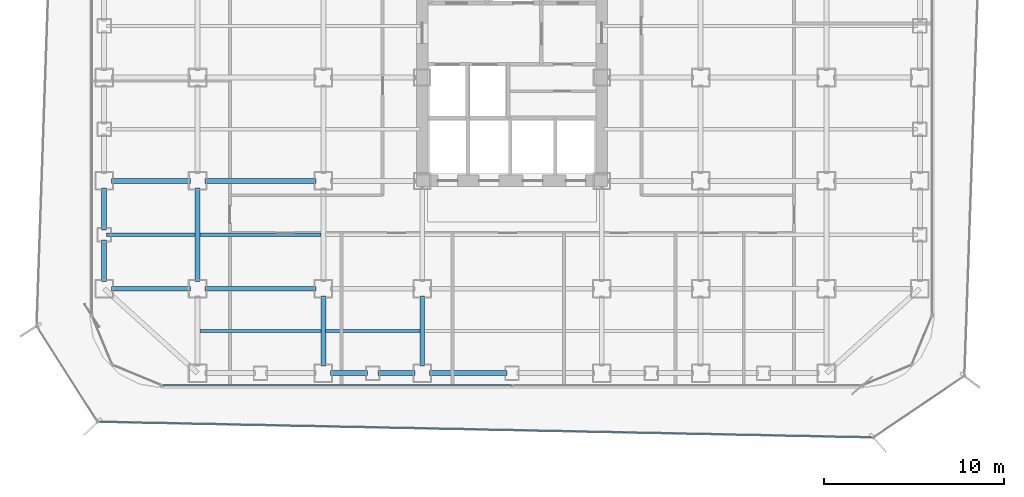
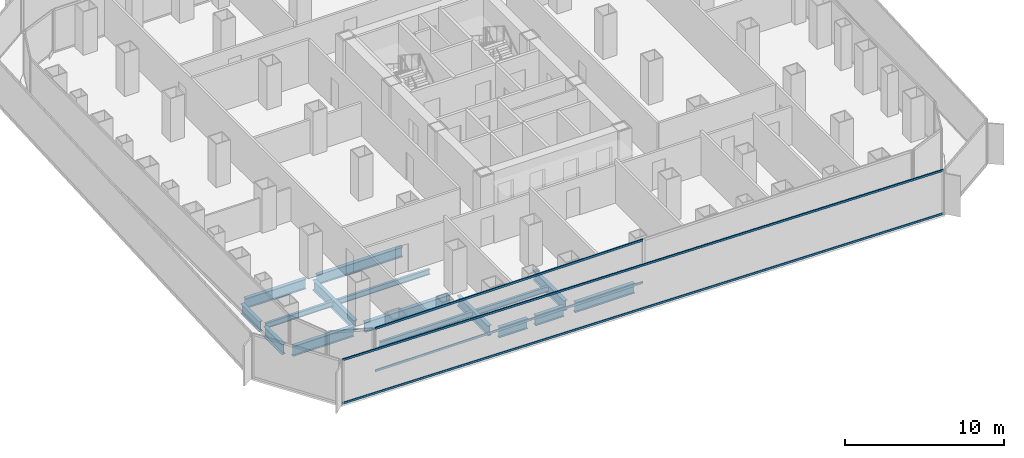
# One storey, part 3 of 22: 16 beams, 4 members, 2 elements without a shape of their own.
"""IFC4 building model written with IfcOpenShell, lengths in metres."""

from ifc_helpers import new_model, si_unit, direction, frame, origin, origin_2d, place, context, subcontext, project, spatial, hollow_rectangle, i_section, extrude, source, transform, mapped, material, layer, layer_set, material_profile, profile_set, type_object, element, aggregate, save


model = new_model("IFC4")

# Units and contexts
model_context = context("Model", 3, precision=1e-05, world=origin(), true_north=direction((0.0, 1.0)))
body_context = subcontext(model_context, "Body", "Model", "MODEL_VIEW")
ifc_project = project(units=[si_unit("LENGTHUNIT", "METRE"), si_unit("AREAUNIT", "SQUARE_METRE"), si_unit("VOLUMEUNIT", "CUBIC_METRE"), si_unit("PLANEANGLEUNIT", "RADIAN"), si_unit("MASSUNIT", "GRAM", prefix="KILO")], contexts=[model_context])

# Site, building, storey
site_placement = place(None, origin())
site = spatial("IfcSite", under=ifc_project, at=site_placement, CompositionType="ELEMENT")
building_placement = place(site_placement, origin())
building = spatial("IfcBuilding", under=site, at=building_placement, Name="Kolveth Station Tower", CompositionType="ELEMENT")
storey_placement = place(building_placement, frame((0.0, 0.0, 65.699951171875)))
storey = spatial("IfcBuildingStorey", under=building, at=storey_placement, Name="L17", CompositionType="ELEMENT", Elevation=65.699951171875)

# Beams
ifc_material_1 = material(Name="Steel S355", Category="steel")
ifc_material_profile_1 = material_profile(ifc_material_1, i_section(OverallWidth=0.26904296875, OverallDepth=0.77490234375, WebThickness=0.01708984375, FlangeThickness=0.0283203125, at=origin_2d()), Name="W760x220")
ifc_profile_set_1 = profile_set([ifc_material_profile_1], Name="Steel S355")
beam_type_1 = type_object("IfcBeamType", Name="Beam_SP1", PredefinedType="SPANDREL", material=ifc_profile_set_1)
shared_shape_1 = source(origin(), body_context, "Body", "SweptSolid", [
    extrude(i_section(OverallWidth=0.26904296875, OverallDepth=0.77490234375, WebThickness=0.01708984375, FlangeThickness=0.0283203125, at=origin_2d()), origin(), (0.0, 0.0, 1.0), 2.070068359375),
])
for number, where, z_axis, x_axis, name in (
    (1, (13.39990234375, 0.800048828125, -0.66748046875), (1.0, 0.0, 0.0), (0.0, 1.0, 0.0), "L17 Perimeter Spandrel BM-L17-PS-3"),
    (2, (16.030029296875, 0.800048828125, -0.66748046875), (1.0, 0.0, 0.0), (0.0, 1.0, 0.0), "L17 Perimeter Spandrel BM-L17-PS-4"),
):
    element("IfcBeam", number, at=place(storey_placement, frame(where, z_axis=z_axis, x_axis=x_axis)), inside=storey, type_object=beam_type_1, Name=name, PredefinedType="SPANDREL", context=body_context, shape_type="MappedRepresentation", body=[
        mapped(shared_shape_1, transform((0.0, 0.0, 0.0), x_axis=(1.0, 0.0, 0.0), y_axis=(0.0, 1.0, 0.0), z_axis=(0.0, 0.0, 1.0), scale=1.0)),
    ])
shared_shape_2 = source(origin(), body_context, "Body", "SweptSolid", [
    extrude(i_section(OverallWidth=0.26904296875, OverallDepth=0.77490234375, WebThickness=0.01708984375, FlangeThickness=0.0283203125, at=origin_2d()), origin(), (0.0, 0.0, 1.0), 4.320068359375),
])
beam_1_placement = place(storey_placement, frame((18.89990234375, 0.800048828125, -0.66748046875), z_axis=(1.0, 0.0, 0.0), x_axis=(0.0, 1.0, 0.0)))
element("IfcBeam", 3, at=beam_1_placement, inside=storey, type_object=beam_type_1, Name="L17 Perimeter Spandrel BM-L17-PS-5", PredefinedType="SPANDREL", context=body_context, shape_type="MappedRepresentation", body=[
    mapped(shared_shape_2, transform((0.0, 0.0, 0.0), x_axis=(1.0, 0.0, 0.0), y_axis=(0.0, 1.0, 0.0), z_axis=(0.0, 0.0, 1.0), scale=1.0)),
])
shared_shape_3 = source(origin(), body_context, "Body", "SweptSolid", [
    extrude(i_section(OverallWidth=0.26904296875, OverallDepth=0.77490234375, WebThickness=0.01708984375, FlangeThickness=0.0283203125, at=origin_2d()), origin(), (0.0, 0.0, 1.0), 2.320068359375),
])
for number, where, z_axis, x_axis, name in (
    (4, (0.800048828125, 5.89990234375, -0.66748046875), (0.0, 1.0, 0.0), (-1.0, 0.0, 0.0), "L17 Perimeter Spandrel BM-L17-PW-1"),
    (5, (0.800048828125, 8.780029296875, -0.66748046875), (0.0, 1.0, 0.0), (-1.0, 0.0, 0.0), "L17 Perimeter Spandrel BM-L17-PW-2"),
):
    element("IfcBeam", number, at=place(storey_placement, frame(where, z_axis=z_axis, x_axis=x_axis)), inside=storey, type_object=beam_type_1, Name=name, PredefinedType="SPANDREL", context=body_context, shape_type="MappedRepresentation", body=[
        mapped(shared_shape_3, transform((0.0, 0.0, 0.0), x_axis=(1.0, 0.0, 0.0), y_axis=(0.0, 1.0, 0.0), z_axis=(0.0, 0.0, 1.0), scale=1.0)),
    ])
ifc_material_profile_2 = material_profile(ifc_material_1, i_section(OverallWidth=0.26708984375, OverallDepth=0.76611328125, WebThickness=0.014892578125, FlangeThickness=0.023681640625, at=origin_2d()), Name="W760x185")
ifc_profile_set_2 = profile_set([ifc_material_profile_2], Name="Steel S355")
beam_type_2 = type_object("IfcBeamType", Name="Beam_B3", PredefinedType="BEAM", material=ifc_profile_set_2)
shared_shape_4 = source(origin(), body_context, "Body", "SweptSolid", [
    extrude(i_section(OverallWidth=0.26708984375, OverallDepth=0.76611328125, WebThickness=0.014892578125, FlangeThickness=0.023681640625, at=origin_2d()), origin(), (0.0, 0.0, 1.0), 4.400146484375),
])
for number, where, z_axis, x_axis, name in (
    (6, (1.199951171875, 5.5, -0.662841796875), (1.0, 0.0, 0.0), (0.0, 1.0, 0.0), "L17 Primary Girder BM-L17-GY55-1"),
    (7, (1.199951171875, 11.5, -0.662841796875), (1.0, 0.0, 0.0), (0.0, 1.0, 0.0), "L17 Primary Girder BM-L17-GY115-1"),
):
    element("IfcBeam", number, at=place(storey_placement, frame(where, z_axis=z_axis, x_axis=x_axis)), inside=storey, type_object=beam_type_2, Name=name, PredefinedType="BEAM", context=body_context, shape_type="MappedRepresentation", body=[
        mapped(shared_shape_4, transform((0.0, 0.0, 0.0), x_axis=(1.0, 0.0, 0.0), y_axis=(0.0, 1.0, 0.0), z_axis=(0.0, 0.0, 1.0), scale=1.0)),
    ])
shared_shape_5 = source(origin(), body_context, "Body", "SweptSolid", [
    extrude(i_section(OverallWidth=0.26708984375, OverallDepth=0.76611328125, WebThickness=0.014892578125, FlangeThickness=0.023681640625, at=origin_2d()), origin(), (0.0, 0.0, 1.0), 6.2001953125),
])
for number, where, z_axis, x_axis, name in (
    (8, (6.39990234375, 5.5, -0.662841796875), (1.0, 0.0, 0.0), (0.0, 1.0, 0.0), "L17 Primary Girder BM-L17-GY55-2"),
    (9, (6.39990234375, 11.5, -0.662841796875), (1.0, 0.0, 0.0), (0.0, 1.0, 0.0), "L17 Primary Girder BM-L17-GY115-2"),
):
    element("IfcBeam", number, at=place(storey_placement, frame(where, z_axis=z_axis, x_axis=x_axis)), inside=storey, type_object=beam_type_2, Name=name, PredefinedType="BEAM", context=body_context, shape_type="MappedRepresentation", body=[
        mapped(shared_shape_5, transform((0.0, 0.0, 0.0), x_axis=(1.0, 0.0, 0.0), y_axis=(0.0, 1.0, 0.0), z_axis=(0.0, 0.0, 1.0), scale=1.0)),
    ])
shared_shape_6 = source(origin(), body_context, "Body", "SweptSolid", [
    extrude(i_section(OverallWidth=0.26708984375, OverallDepth=0.76611328125, WebThickness=0.014892578125, FlangeThickness=0.023681640625, at=origin_2d()), origin(), (0.0, 0.0, 1.0), 3.900146484375),
])
for number, where, z_axis, x_axis, name in (
    (10, (13.0, 1.199951171875, -0.662841796875), (0.0, 1.0, 0.0), (-1.0, 0.0, 0.0), "L17 Primary Girder BM-L17-GX130-1"),
    (11, (18.5, 1.199951171875, -0.662841796875), (0.0, 1.0, 0.0), (-1.0, 0.0, 0.0), "L17 Primary Girder BM-L17-GX185-1"),
):
    element("IfcBeam", number, at=place(storey_placement, frame(where, z_axis=z_axis, x_axis=x_axis)), inside=storey, type_object=beam_type_2, Name=name, PredefinedType="BEAM", context=body_context, shape_type="MappedRepresentation", body=[
        mapped(shared_shape_6, transform((0.0, 0.0, 0.0), x_axis=(1.0, 0.0, 0.0), y_axis=(0.0, 1.0, 0.0), z_axis=(0.0, 0.0, 1.0), scale=1.0)),
    ])
shared_shape_7 = source(origin(), body_context, "Body", "SweptSolid", [
    extrude(i_section(OverallWidth=0.26708984375, OverallDepth=0.76611328125, WebThickness=0.014892578125, FlangeThickness=0.023681640625, at=origin_2d()), origin(), (0.0, 0.0, 1.0), 5.2001953125),
])
beam_2_placement = place(storey_placement, frame((6.0, 5.89990234375, -0.662841796875), z_axis=(0.0, 1.0, 0.0), x_axis=(-1.0, 0.0, 0.0)))
element("IfcBeam", 12, at=beam_2_placement, inside=storey, type_object=beam_type_2, Name="L17 Primary Girder BM-L17-GX60-2", PredefinedType="BEAM", context=body_context, shape_type="MappedRepresentation", body=[
    mapped(shared_shape_7, transform((0.0, 0.0, 0.0), x_axis=(1.0, 0.0, 0.0), y_axis=(0.0, 1.0, 0.0), z_axis=(0.0, 0.0, 1.0), scale=1.0)),
])
ifc_material_profile_3 = material_profile(ifc_material_1, i_section(OverallWidth=0.177978515625, OverallDepth=0.406982421875, WebThickness=0.0078125, FlangeThickness=0.0126953125, at=origin_2d()), Name="W410x60")
ifc_profile_set_3 = profile_set([ifc_material_profile_3], Name="Steel S355")
beam_type_3 = type_object("IfcBeamType", Name="Beam_J1", PredefinedType="JOIST", material=ifc_profile_set_3)
shared_shape_8 = source(origin(), body_context, "Body", "SweptSolid", [
    extrude(i_section(OverallWidth=0.177978515625, OverallDepth=0.406982421875, WebThickness=0.0078125, FlangeThickness=0.0126953125, at=origin_2d()), origin(), (0.0, 0.0, 1.0), 4.935791015625),
])
beam_3_placement = place(storey_placement, frame((0.9326171875, 8.5, -0.4833984375), z_axis=(1.0, 0.0, 0.0), x_axis=(0.0, 1.0, 0.0)))
element("IfcBeam", 13, at=beam_3_placement, inside=storey, type_object=beam_type_3, Name="L17 Secondary Joist JST-L17-1-2", PredefinedType="JOIST", context=body_context, shape_type="MappedRepresentation", body=[
    mapped(shared_shape_8, transform((0.0, 0.0, 0.0), x_axis=(1.0, 0.0, 0.0), y_axis=(0.0, 1.0, 0.0), z_axis=(0.0, 0.0, 1.0), scale=1.0)),
])
shared_shape_9 = source(origin(), body_context, "Body", "SweptSolid", [
    extrude(i_section(OverallWidth=0.177978515625, OverallDepth=0.406982421875, WebThickness=0.0078125, FlangeThickness=0.0126953125, at=origin_2d()), origin(), (0.0, 0.0, 1.0), 6.73681640625),
])
for number, where, z_axis, x_axis, name in (
    (14, (6.131591796875, 3.14990234375, -0.4833984375), (1.0, 0.0, 0.0), (0.0, 1.0, 0.0), "L17 Secondary Joist JST-L17-2-1"),
    (15, (6.131591796875, 8.5, -0.4833984375), (1.0, 0.0, 0.0), (0.0, 1.0, 0.0), "L17 Secondary Joist JST-L17-2-2"),
):
    element("IfcBeam", number, at=place(storey_placement, frame(where, z_axis=z_axis, x_axis=x_axis)), inside=storey, type_object=beam_type_3, Name=name, PredefinedType="JOIST", context=body_context, shape_type="MappedRepresentation", body=[
        mapped(shared_shape_9, transform((0.0, 0.0, 0.0), x_axis=(1.0, 0.0, 0.0), y_axis=(0.0, 1.0, 0.0), z_axis=(0.0, 0.0, 1.0), scale=1.0)),
    ])
shared_shape_10 = source(origin(), body_context, "Body", "SweptSolid", [
    extrude(i_section(OverallWidth=0.177978515625, OverallDepth=0.406982421875, WebThickness=0.0078125, FlangeThickness=0.0126953125, at=origin_2d()), origin(), (0.0, 0.0, 1.0), 5.23681640625),
])
beam_4_placement = place(storey_placement, frame((13.131591796875, 3.14990234375, -0.4833984375), z_axis=(1.0, 0.0, 0.0), x_axis=(0.0, 1.0, 0.0)))
element("IfcBeam", 16, at=beam_4_placement, inside=storey, type_object=beam_type_3, Name="L17 Secondary Joist JST-L17-3-1", PredefinedType="JOIST", context=body_context, shape_type="MappedRepresentation", body=[
    mapped(shared_shape_10, transform((0.0, 0.0, 0.0), x_axis=(1.0, 0.0, 0.0), y_axis=(0.0, 1.0, 0.0), z_axis=(0.0, 0.0, 1.0), scale=1.0)),
])

# Curtain wall, members
ifc_material_2 = material(Name="Aluminium 6063-T6 and low-E dark glass", Category="aluminium")
ifc_layer_1 = layer(ifc_material_2, 0.179931640625)
ifc_layer_set_1 = layer_set([ifc_layer_1], Name="Aluminium 6063-T6 and low-E dark glass")
curtain_wall_type_1 = type_object("IfcCurtainWallType", Name="CurtainWall_CW-Z1", PredefinedType="NOTDEFINED", material=ifc_layer_set_1)
curtain_wall_1_placement = place(storey_placement, origin())
curtain_wall_1 = element("IfcCurtainWall", 17, at=curtain_wall_1_placement, inside=storey, type_object=curtain_wall_type_1, Name="L17 Inner Thermal Curtain Wall 12", PredefinedType="NOTDEFINED")
ifc_material_3 = material(Name="Black anodized aluminium 6063-T6", Category="aluminium")
ifc_material_profile_4 = material_profile(ifc_material_3, hollow_rectangle(XDim=0.074951171875, YDim=0.159912109375, WallThickness=0.0048828125, at=origin_2d()), Name="ALU-75x160x5")
ifc_profile_set_4 = profile_set([ifc_material_profile_4], Name="Black anodized aluminium 6063-T6")
member_type_1 = type_object("IfcMemberType", Name="Transom_TR1", PredefinedType="USERDEFINED", material=ifc_profile_set_4)
shared_shape_11 = source(origin(), body_context, "Body", "SweptSolid", [
    extrude(hollow_rectangle(XDim=0.074951171875, YDim=0.159912109375, WallThickness=0.0048828125, at=origin_2d()), origin(), (0.0, 0.0, 1.0), 19.387451171875),
])
member_1_placement = place(storey_placement, frame((4.074951171875, 0.1201171875, 0.03759765625), z_axis=(1.0, 0.0, 0.0), x_axis=(0.0, 1.0, 0.0)))
member_1 = element("IfcMember", 18, at=member_1_placement, type_object=member_type_1, Name="CW-Z1 transom 1.1", ObjectType="TRANSOM", PredefinedType="USERDEFINED", context=body_context, shape_type="MappedRepresentation", body=[
    mapped(shared_shape_11, transform((0.0, 0.0, 0.0), x_axis=(1.0, 0.0, 0.0), y_axis=(0.0, 1.0, 0.0), z_axis=(0.0, 0.0, 1.0), scale=1.0)),
])
member_2_placement = place(storey_placement, frame((4.074951171875, 0.1201171875, 3.282470703125), z_axis=(1.0, 0.0, 0.0), x_axis=(0.0, 1.0, 0.0)))
member_2 = element("IfcMember", 19, at=member_2_placement, type_object=member_type_1, Name="CW-Z1 transom 1.2", ObjectType="TRANSOM", PredefinedType="USERDEFINED", context=body_context, shape_type="MappedRepresentation", body=[
    mapped(shared_shape_11, transform((0.0, 0.0, 0.0), x_axis=(1.0, 0.0, 0.0), y_axis=(0.0, 1.0, 0.0), z_axis=(0.0, 0.0, 1.0), scale=1.0)),
])
aggregate(curtain_wall_1, [member_1, member_2])

ifc_material_4 = material(Name="Black anodized aluminium 6063-T6 and dark solar glass", Category="aluminium")
ifc_layer_2 = layer(ifc_material_4, 0.159912109375)
ifc_layer_set_2 = layer_set([ifc_layer_2], Name="Black anodized aluminium 6063-T6 and dark solar glass")
curtain_wall_type_2 = type_object("IfcCurtainWallType", Name="OUTER SKIN CW-OS", PredefinedType="NOTDEFINED", material=ifc_layer_set_2)
curtain_wall_2_placement = place(storey_placement, origin())
curtain_wall_2 = element("IfcCurtainWall", 20, at=curtain_wall_2_placement, inside=storey, type_object=curtain_wall_type_2, Name="L17 Outer Ventilated Skin Curtain Wall 8", PredefinedType="NOTDEFINED")
ifc_material_profile_5 = material_profile(ifc_material_3, hollow_rectangle(XDim=0.080078125, YDim=0.14990234375, WallThickness=0.0048828125, at=origin_2d()), Name="ALU-80x150x5")
ifc_profile_set_5 = profile_set([ifc_material_profile_5], Name="Black anodized aluminium 6063-T6")
member_type_2 = type_object("IfcMemberType", Name="Transom_TR-OS", PredefinedType="USERDEFINED", material=ifc_profile_set_5)
shared_shape_12 = source(origin(), body_context, "Body", "SweptSolid", [
    extrude(hollow_rectangle(XDim=0.080078125, YDim=0.14990234375, WallThickness=0.0048828125, at=origin_2d()), origin(), (0.0, 0.0, 1.0), 43.004638671875),
])
member_3_placement = place(storey_placement, frame((0.5322265625, -1.913818359375, 0.0400390625), z_axis=(0.999795978469, -0.020199045439, 0.0), x_axis=(0.020199045439, 0.999795978469, 0.0)))
member_3 = element("IfcMember", 21, at=member_3_placement, type_object=member_type_2, Name="CW-OS transom 1.1", ObjectType="TRANSOM", PredefinedType="USERDEFINED", context=body_context, shape_type="MappedRepresentation", body=[
    mapped(shared_shape_12, transform((0.0, 0.0, 0.0), x_axis=(1.0, 0.0, 0.0), y_axis=(0.0, 1.0, 0.0), z_axis=(0.0, 0.0, 1.0), scale=1.0)),
])
member_4_placement = place(storey_placement, frame((0.5322265625, -1.913818359375, 3.35009765625), z_axis=(0.999795978469, -0.020199045439, 0.0), x_axis=(0.020199045439, 0.999795978469, 0.0)))
member_4 = element("IfcMember", 22, at=member_4_placement, type_object=member_type_2, Name="CW-OS transom 1.2", ObjectType="TRANSOM", PredefinedType="USERDEFINED", context=body_context, shape_type="MappedRepresentation", body=[
    mapped(shared_shape_12, transform((0.0, 0.0, 0.0), x_axis=(1.0, 0.0, 0.0), y_axis=(0.0, 1.0, 0.0), z_axis=(0.0, 0.0, 1.0), scale=1.0)),
])
aggregate(curtain_wall_2, [member_3, member_4])

save(model, "model.ifc")
